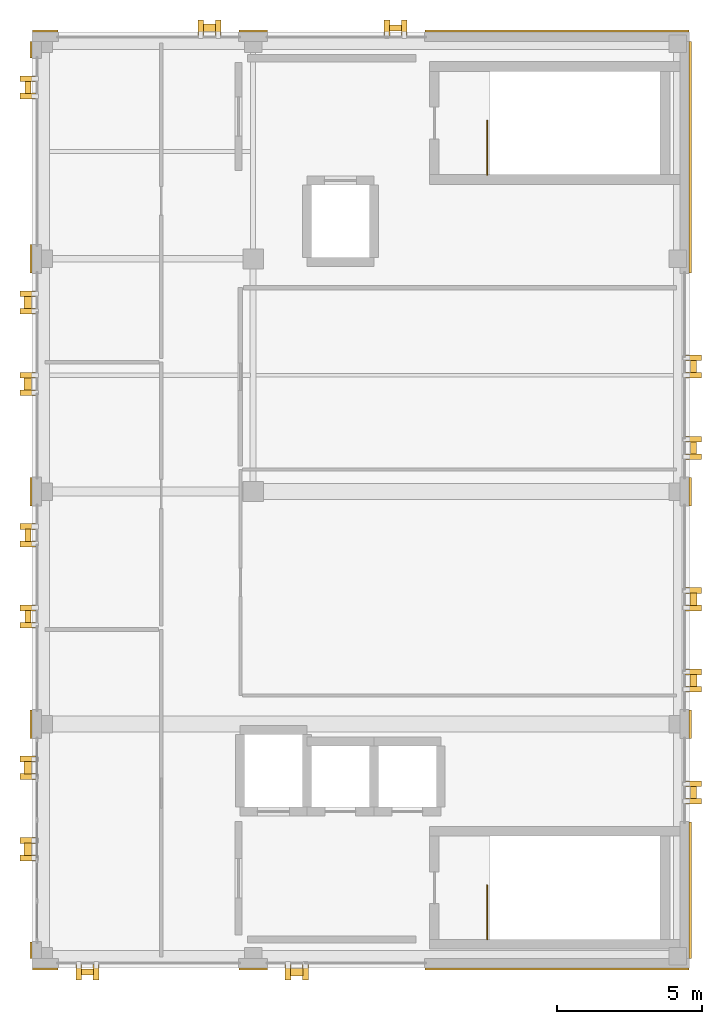
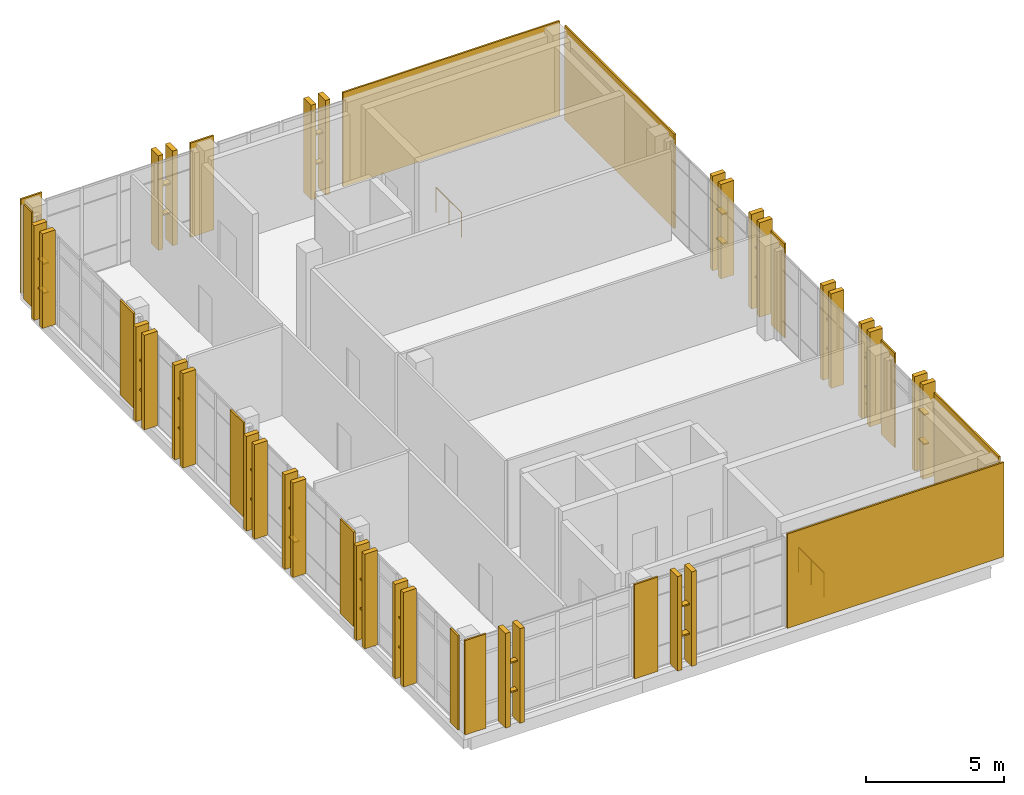
# One storey, part 19 of 19: 47 coverings, 32 shading devices, 2 railings.
"""IFC4 building model written with IfcOpenShell, lengths in metres."""

import ifcopenshell
import ifcopenshell.guid

model = None  # the IFC model being written
_history = None  # IfcOwnerHistory: only IFC2X3 demands one
_inside = {}  # id of a spatial element -> (the spatial element, [elements in it])
_under = {}  # id of a project, library or spatial element -> (it, [spatial elements below it])
_declared = {}  # id of a project -> (the project, [libraries it declares])
_typed = {}  # id of a type object -> (the type object, [elements of that type])
_made_of = {}  # id of a material, layer set ... -> (it, [elements and type objects made of it])


def new_model(schema):
    """Start an empty IFC model of exactly this schema.

    Asked for "IFC4X3", IfcOpenShell would pick the latest addendum, in which some entities
    have other attributes; the version numbers below select the first issue.
    IFC2X3 requires an IfcOwnerHistory on every rooted entity: one is made here for all.
    """
    global model, _history
    if schema == "IFC4X3":
        model = ifcopenshell.file(schema_version=(4, 3, 0, 0))
    else:
        model = ifcopenshell.file(schema=schema)
    _inside.clear()
    _under.clear()
    _declared.clear()
    _typed.clear()
    _made_of.clear()
    _history = None
    if model.schema == "IFC2X3":
        org = make("IfcOrganization", Name="unknown")
        user = make(
            "IfcPersonAndOrganization",
            ThePerson=make("IfcPerson", FamilyName="unknown"),
            TheOrganization=org,
        )
        app = make(
            "IfcApplication",
            ApplicationDeveloper=org,
            Version="unknown",
            ApplicationFullName="unknown",
            ApplicationIdentifier="unknown",
        )
        _history = make(
            "IfcOwnerHistory",
            OwningUser=user,
            OwningApplication=app,
            ChangeAction="ADDED",
            CreationDate=0,
        )
    return model


def make(cls, **values):
    """One entity of the class cls with the attributes given. An attribute that is None is left unset."""
    return model.create_entity(
        cls, **{name: value for name, value in values.items() if value is not None}
    )


def rooted(cls, **values):
    """An entity with a GlobalId (a new one), such as an element, a storey or a relation."""
    return make(cls, GlobalId=ifcopenshell.guid.new(), OwnerHistory=_history, **values)


def si_unit(unit_type, name, prefix=None):
    """IfcSIUnit, for example si_unit("LENGTHUNIT", "METRE", prefix="MILLI")."""
    return make("IfcSIUnit", UnitType=unit_type, Prefix=prefix, Name=name)


def assignment(units):
    """IfcUnitAssignment: the units of a project."""
    return None if units is None else make("IfcUnitAssignment", Units=units)


def point(xyz):
    """IfcCartesianPoint."""
    return None if xyz is None else make("IfcCartesianPoint", Coordinates=xyz)


def direction(xyz):
    """IfcDirection."""
    return None if xyz is None else make("IfcDirection", DirectionRatios=xyz)


def frame(location, z_axis=None, x_axis=None):
    """IfcAxis2Placement3D, a coordinate frame: its origin and axes. An axis left out is left unset."""
    return make(
        "IfcAxis2Placement3D",
        Location=point(location),
        Axis=direction(z_axis),
        RefDirection=direction(x_axis),
    )


def frame_2d(location, x_axis=None):
    """IfcAxis2Placement2D, a coordinate frame in the plane: its origin and x axis."""
    return make(
        "IfcAxis2Placement2D", Location=point(location), RefDirection=direction(x_axis)
    )


def origin():
    """The frame at (0, 0, 0) with its axes left unset."""
    return frame((0.0, 0.0, 0.0))


def origin_2d():
    """The frame at (0, 0) in the plane with its x axis left unset."""
    return frame_2d((0.0, 0.0))


def place(relative_to, where):
    """IfcLocalPlacement: puts the frame where relative to a parent placement (None: the world)."""
    return make(
        "IfcLocalPlacement", PlacementRelTo=relative_to, RelativePlacement=where
    )


def context(
    kind, dimensions, precision=None, world=None, true_north=None, identifier=None
):
    """IfcGeometricRepresentationContext, for example the 3D "Model" context."""
    return make(
        "IfcGeometricRepresentationContext",
        ContextIdentifier=identifier,
        ContextType=kind,
        CoordinateSpaceDimension=dimensions,
        Precision=precision,
        WorldCoordinateSystem=world,
        TrueNorth=true_north,
    )


def subcontext(parent, identifier, kind, view, scale=None):
    """IfcGeometricRepresentationSubContext, for example "Body" below "Model"."""
    return make(
        "IfcGeometricRepresentationSubContext",
        ContextIdentifier=identifier,
        ContextType=kind,
        ParentContext=parent,
        TargetScale=scale,
        TargetView=view,
    )


def project(units=None, contexts=None):
    """IfcProject with its units and contexts."""
    return rooted(
        "IfcProject",
        Name="project",
        RepresentationContexts=contexts,
        UnitsInContext=assignment(units),
    )


def spatial(cls, under=None, at=None, **own):
    """A site, building, storey or space (cls), placed at a placement, below another one or the project."""
    s = rooted(cls, ObjectPlacement=at, **own)
    if under is not None:
        _under.setdefault(under.id(), (under, []))[1].append(s)
    return s


def profile(cls, at=None, kind="AREA", **sizes):
    """A parametric profile (cls). Its sizes go by their IFC names, for example OverallWidth=200.0."""
    return make(cls, ProfileType=kind, Position=at, **sizes)


def rectangle(**sizes):
    """IfcRectangleProfileDef."""
    return profile("IfcRectangleProfileDef", **sizes)


def circle(**sizes):
    """IfcCircleProfileDef."""
    return profile("IfcCircleProfileDef", **sizes)


def extrude(swept, where, along, depth):
    """IfcExtrudedAreaSolid: the profile swept, set in the frame where, extruded along a direction by depth."""
    return make(
        "IfcExtrudedAreaSolid",
        SweptArea=swept,
        Position=where,
        ExtrudedDirection=direction(along),
        Depth=depth,
    )


def shape(context_of_items, identifier, shape_type, items):
    """IfcShapeRepresentation: the items that make up one representation, for example the "Body"."""
    return make(
        "IfcShapeRepresentation",
        ContextOfItems=context_of_items,
        RepresentationIdentifier=identifier,
        RepresentationType=shape_type,
        Items=items,
    )


def material(Name=None, Category=None):
    """IfcMaterial."""
    return make("IfcMaterial", Name=Name, Category=Category)


def layer(
    of_material, thickness, ventilated=None, Name=None, Category=None, Priority=None
):
    """IfcMaterialLayer: one layer of a wall or slab, of a material (None: an air gap)."""
    return make(
        "IfcMaterialLayer",
        Material=of_material,
        LayerThickness=thickness,
        IsVentilated=ventilated,
        Name=Name,
        Category=Category,
        Priority=Priority,
    )


def layer_set(layers, Name=None):
    """IfcMaterialLayerSet."""
    return make("IfcMaterialLayerSet", MaterialLayers=layers, LayerSetName=Name)


def made_of(thing, what):
    """Note that an element or type object is made of a material, layer set ...; save() writes the relation."""
    if what is not None:
        _made_of.setdefault(what.id(), (what, []))[1].append(thing)
    return thing


def type_object(cls, material=None, **own):
    """A type object (cls), such as IfcWallType, which elements share."""
    return made_of(rooted(cls, **own), material)


def element(
    cls,
    number,
    at=None,
    inside=None,
    cuts=None,
    type_object=None,
    material=None,
    context=None,
    identifier="Body",
    shape_type=None,
    held_by="IfcProductDefinitionShape",
    body=None,
    shapes=None,
    **own,
):
    """One element of the class cls, such as IfcWall. Its Tag is "e" and its number.

    at: its placement. inside: the storey or other place that contains it. cuts: it is an
    opening in that element (IfcRelVoidsElement). A single representation is given by context,
    identifier, shape_type and body (its items); several are given by shapes. held_by: the class
    of the entity that holds the representations. save() writes the other relations.
    """
    e = rooted(cls, Tag="e%d" % number, ObjectPlacement=at, **own)
    if body is not None:
        shapes = [shape(context, identifier, shape_type, body)]
    if shapes is not None:
        e.Representation = make(held_by, Representations=shapes)
    if inside is not None:
        _inside.setdefault(inside.id(), (inside, []))[1].append(e)
    if cuts is not None:
        rooted(
            "IfcRelVoidsElement", RelatingBuildingElement=cuts, RelatedOpeningElement=e
        )
    if type_object is not None:
        _typed.setdefault(type_object.id(), (type_object, []))[1].append(e)
    return made_of(e, material)


def aggregate(whole, parts):
    """IfcRelAggregates: a whole, such as a stair, and the parts it consists of."""
    return rooted("IfcRelAggregates", RelatingObject=whole, RelatedObjects=parts)


def save(model, path):
    """Write the relations noted so far, then the file.

    IfcRelAggregates (storeys below a building ...), IfcRelContainedInSpatialStructure (elements
    in a storey), IfcRelDefinesByType, IfcRelAssociatesMaterial and IfcRelDeclares: one each for
    every whole, place, type object, material and project.
    """
    for whole, parts in _under.values():
        aggregate(whole, parts)
    for where, things in _inside.values():
        rooted(
            "IfcRelContainedInSpatialStructure",
            RelatedElements=things,
            RelatingStructure=where,
        )
    for kind, things in _typed.values():
        rooted("IfcRelDefinesByType", RelatedObjects=things, RelatingType=kind)
    for what, things in _made_of.values():
        rooted("IfcRelAssociatesMaterial", RelatedObjects=things, RelatingMaterial=what)
    for by, libraries in _declared.values():
        rooted("IfcRelDeclares", RelatingContext=by, RelatedDefinitions=libraries)
    model.write(path)


model = new_model("IFC4")

# Units and contexts
model_context = context("Model", 3, precision=1e-05, world=origin(), true_north=direction((0.0, 1.0)))
body_context = subcontext(model_context, "Body", "Model", "MODEL_VIEW")
ifc_project = project(units=[si_unit("LENGTHUNIT", "METRE"), si_unit("AREAUNIT", "SQUARE_METRE"), si_unit("VOLUMEUNIT", "CUBIC_METRE"), si_unit("PLANEANGLEUNIT", "RADIAN"), si_unit("MASSUNIT", "GRAM", prefix="KILO")], contexts=[model_context])

# Site, building, storey
site_placement = place(None, origin())
site = spatial("IfcSite", under=ifc_project, at=site_placement, CompositionType="ELEMENT")
building_placement = place(site_placement, origin())
building = spatial("IfcBuilding", under=site, at=building_placement, Name="Qalavern Law Courts", CompositionType="ELEMENT")
storey_placement = place(building_placement, frame((0.0, 0.0, 39.60009765625)))
storey = spatial("IfcBuildingStorey", under=building, at=storey_placement, Name="L09", CompositionType="ELEMENT", Elevation=39.60009765625)

# Coverings
ifc_material_1 = material(Name="Precast concrete C40/50", Category="concrete")
ifc_layer_1 = layer(ifc_material_1, 0.199951171875)
ifc_layer_set_1 = layer_set([ifc_layer_1], Name="Precast concrete C40/50")
covering_type_1 = type_object("IfcCoveringType", Name="ENV-BLD-1", PredefinedType="CLADDING", material=ifc_layer_set_1)
for number, where, z_axis, x_axis, name in (
    (1, (85.800048828125, 40.87255859375, 0.0048828125), (0.0, 0.0, 1.0), (0.0, -1.0, 0.0), "Absheron stone facade blade 0865"),
    (2, (86.39990234375, 40.87255859375, 0.0048828125), (0.0, 0.0, 1.0), (0.0, -1.0, 0.0), "Absheron stone facade blade 0866"),
    (3, (93.0, 40.87255859375, 0.0048828125), (0.0, 0.0, 1.0), (0.0, -1.0, 0.0), "Absheron stone facade blade 0867"),
    (4, (93.60009765625, 40.87255859375, 0.0048828125), (0.0, 0.0, 1.0), (0.0, -1.0, 0.0), "Absheron stone facade blade 0868"),
    (5, (106.947509765625, 46.75, 0.0048828125), (0.0, 0.0, 1.0), (1.0, 0.0, 0.0), "Absheron stone facade blade 0869"),
    (6, (106.947509765625, 47.35009765625, 0.0048828125), (0.0, 0.0, 1.0), (1.0, 0.0, 0.0), "Absheron stone facade blade 0870"),
    (7, (106.947509765625, 50.60009765625, 0.0048828125), (0.0, 0.0, 1.0), (1.0, 0.0, 0.0), "Absheron stone facade blade 0871"),
    (8, (106.947509765625, 51.199951171875, 0.0048828125), (0.0, 0.0, 1.0), (1.0, 0.0, 0.0), "Absheron stone facade blade 0872"),
    (9, (106.947509765625, 53.39990234375, 0.0048828125), (0.0, 0.0, 1.0), (1.0, 0.0, 0.0), "Absheron stone facade blade 0873"),
    (10, (106.947509765625, 54.0, 0.0048828125), (0.0, 0.0, 1.0), (1.0, 0.0, 0.0), "Absheron stone facade blade 0874"),
    (11, (106.947509765625, 58.60009765625, 0.0048828125), (0.0, 0.0, 1.0), (1.0, 0.0, 0.0), "Absheron stone facade blade 0875"),
    (12, (106.947509765625, 59.199951171875, 0.0048828125), (0.0, 0.0, 1.0), (1.0, 0.0, 0.0), "Absheron stone facade blade 0876"),
    (13, (106.947509765625, 61.39990234375, 0.0048828125), (0.0, 0.0, 1.0), (1.0, 0.0, 0.0), "Absheron stone facade blade 0877"),
    (14, (106.947509765625, 62.0, 0.0048828125), (0.0, 0.0, 1.0), (1.0, 0.0, 0.0), "Absheron stone facade blade 0878"),
    (15, (97.0, 73.347412109375, 0.0048828125), (0.0, 0.0, 1.0), (0.0, 1.0, 0.0), "Absheron stone facade blade 0879"),
    (16, (96.39990234375, 73.347412109375, 0.0048828125), (0.0, 0.0, 1.0), (0.0, 1.0, 0.0), "Absheron stone facade blade 0880"),
    (17, (90.60009765625, 73.347412109375, 0.0048828125), (0.0, 0.0, 1.0), (0.0, 1.0, 0.0), "Absheron stone facade blade 0881"),
    (18, (90.0, 73.347412109375, 0.0048828125), (0.0, 0.0, 1.0), (0.0, 1.0, 0.0), "Absheron stone facade blade 0882"),
    (19, (84.052490234375, 71.60009765625, 0.0048828125), (0.0, 0.0, 1.0), (-1.0, 0.0, 0.0), "Absheron stone facade blade 0883"),
    (20, (84.052490234375, 71.0, 0.0048828125), (0.0, 0.0, 1.0), (-1.0, 0.0, 0.0), "Absheron stone facade blade 0884"),
    (21, (84.052490234375, 64.199951171875, 0.0048828125), (0.0, 0.0, 1.0), (-1.0, 0.0, 0.0), "Absheron stone facade blade 0885"),
    (22, (84.052490234375, 63.60009765625, 0.0048828125), (0.0, 0.0, 1.0), (-1.0, 0.0, 0.0), "Absheron stone facade blade 0886"),
    (23, (84.052490234375, 61.39990234375, 0.0048828125), (0.0, 0.0, 1.0), (-1.0, 0.0, 0.0), "Absheron stone facade blade 0887"),
    (24, (84.052490234375, 60.800048828125, 0.0048828125), (0.0, 0.0, 1.0), (-1.0, 0.0, 0.0), "Absheron stone facade blade 0888"),
    (25, (84.052490234375, 56.199951171875, 0.0048828125), (0.0, 0.0, 1.0), (-1.0, 0.0, 0.0), "Absheron stone facade blade 0889"),
    (26, (84.052490234375, 55.60009765625, 0.0048828125), (0.0, 0.0, 1.0), (-1.0, 0.0, 0.0), "Absheron stone facade blade 0890"),
    (27, (84.052490234375, 53.39990234375, 0.0048828125), (0.0, 0.0, 1.0), (-1.0, 0.0, 0.0), "Absheron stone facade blade 0891"),
    (28, (84.052490234375, 52.800048828125, 0.0048828125), (0.0, 0.0, 1.0), (-1.0, 0.0, 0.0), "Absheron stone facade blade 0892"),
    (29, (84.052490234375, 48.199951171875, 0.0048828125), (0.0, 0.0, 1.0), (-1.0, 0.0, 0.0), "Absheron stone facade blade 0893"),
    (30, (84.052490234375, 47.60009765625, 0.0048828125), (0.0, 0.0, 1.0), (-1.0, 0.0, 0.0), "Absheron stone facade blade 0894"),
    (31, (84.052490234375, 45.39990234375, 0.0048828125), (0.0, 0.0, 1.0), (-1.0, 0.0, 0.0), "Absheron stone facade blade 0895"),
    (32, (84.052490234375, 44.800048828125, 0.0048828125), (0.0, 0.0, 1.0), (-1.0, 0.0, 0.0), "Absheron stone facade blade 0896"),
):
    element("IfcCovering", number, at=place(storey_placement, frame(where, z_axis=z_axis, x_axis=x_axis)), inside=storey, type_object=covering_type_1, Name=name, PredefinedType="CLADDING", context=body_context, shape_type="SweptSolid", body=[
        extrude(rectangle(XDim=0.5400390625, YDim=0.199951171875, at=origin_2d()), origin(), (0.0, 0.0, 1.0), 4.18994140625),
    ])
ifc_layer_2 = layer(ifc_material_1, 0.072021484375)
ifc_layer_set_2 = layer_set([ifc_layer_2], Name="Precast concrete C40/50")
covering_type_2 = type_object("IfcCoveringType", Name="ENV-CLD-2", PredefinedType="CLADDING", material=ifc_layer_set_2)
covering_1_placement = place(storey_placement, frame((84.64990234375, 40.987060546875, 0.009765625), z_axis=(0.0, 0.0, 1.0), x_axis=(1.0, 0.0, 0.0)))
element("IfcCovering", 33, at=covering_1_placement, inside=storey, type_object=covering_type_2, Name="V4 Absheron limestone pier facing L09 south 1", PredefinedType="CLADDING", context=body_context, shape_type="SweptSolid", body=[
    extrude(rectangle(XDim=0.8798828125, YDim=0.072021484375, at=origin_2d()), origin(), (0.0, 0.0, 1.0), 4.179931640625),
])
covering_2_placement = place(storey_placement, frame((91.800048828125, 40.987060546875, 0.009765625), z_axis=(0.0, 0.0, 1.0), x_axis=(1.0, 0.0, 0.0)))
element("IfcCovering", 34, at=covering_2_placement, inside=storey, type_object=covering_type_2, Name="V4 Absheron limestone pier facing L09 south 2", PredefinedType="CLADDING", context=body_context, shape_type="SweptSolid", body=[
    extrude(rectangle(XDim=0.97998046875, YDim=0.072021484375, at=origin_2d()), origin(), (0.0, 0.0, 1.0), 4.179931640625),
])
covering_3_placement = place(storey_placement, frame((102.25, 40.987060546875, 0.009765625), z_axis=(0.0, 0.0, 1.0), x_axis=(1.0, 0.0, 0.0)))
element("IfcCovering", 35, at=covering_3_placement, inside=storey, type_object=covering_type_2, Name="V4 Absheron limestone pier facing L09 south 3", PredefinedType="CLADDING", context=body_context, shape_type="SweptSolid", body=[
    extrude(rectangle(XDim=9.080078125, YDim=0.072021484375, at=origin_2d()), origin(), (0.0, 0.0, 1.0), 4.179931640625),
])
covering_4_placement = place(storey_placement, frame((106.8330078125, 43.695068359375, 0.009765625), z_axis=(0.0, 0.0, 1.0), x_axis=(0.0, 1.0, 0.0)))
element("IfcCovering", 36, at=covering_4_placement, inside=storey, type_object=covering_type_2, Name="V4 Absheron limestone pier facing L09 east 1", PredefinedType="CLADDING", context=body_context, shape_type="SweptSolid", body=[
    extrude(rectangle(XDim=4.68994140625, YDim=0.072021484375, at=origin_2d()), origin(), (0.0, 0.0, 1.0), 4.179931640625),
])
for number, where, z_axis, x_axis, name in (
    (37, (106.8330078125, 49.39990234375, 0.009765625), (0.0, 0.0, 1.0), (0.0, 1.0, 0.0), "V4 Absheron limestone pier facing L09 east 2"),
    (38, (106.8330078125, 57.39990234375, 0.009765625), (0.0, 0.0, 1.0), (0.0, 1.0, 0.0), "V4 Absheron limestone pier facing L09 east 3"),
):
    element("IfcCovering", number, at=place(storey_placement, frame(where, z_axis=z_axis, x_axis=x_axis)), inside=storey, type_object=covering_type_2, Name=name, PredefinedType="CLADDING", context=body_context, shape_type="SweptSolid", body=[
        extrude(rectangle(XDim=0.97998046875, YDim=0.072021484375, at=origin_2d()), origin(), (0.0, 0.0, 1.0), 4.179931640625),
    ])
covering_5_placement = place(storey_placement, frame((106.8330078125, 68.889892578125, 0.009765625), z_axis=(0.0, 0.0, 1.0), x_axis=(0.0, 1.0, 0.0)))
element("IfcCovering", 39, at=covering_5_placement, inside=storey, type_object=covering_type_2, Name="V4 Absheron limestone pier facing L09 east 4", PredefinedType="CLADDING", context=body_context, shape_type="SweptSolid", body=[
    extrude(rectangle(XDim=7.9599609375, YDim=0.072021484375, at=origin_2d()), origin(), (0.0, 0.0, 1.0), 4.179931640625),
])
covering_6_placement = place(storey_placement, frame((102.25, 73.23291015625, 0.009765625), z_axis=(0.0, 0.0, 1.0), x_axis=(-1.0, 0.0, 0.0)))
element("IfcCovering", 40, at=covering_6_placement, inside=storey, type_object=covering_type_2, Name="V4 Absheron limestone pier facing L09 north 1", PredefinedType="CLADDING", context=body_context, shape_type="SweptSolid", body=[
    extrude(rectangle(XDim=9.080078125, YDim=0.072021484375, at=origin_2d()), origin(), (0.0, 0.0, 1.0), 4.179931640625),
])
covering_7_placement = place(storey_placement, frame((91.800048828125, 73.23291015625, 0.009765625), z_axis=(0.0, 0.0, 1.0), x_axis=(-1.0, 0.0, 0.0)))
element("IfcCovering", 41, at=covering_7_placement, inside=storey, type_object=covering_type_2, Name="V4 Absheron limestone pier facing L09 north 2", PredefinedType="CLADDING", context=body_context, shape_type="SweptSolid", body=[
    extrude(rectangle(XDim=0.97998046875, YDim=0.072021484375, at=origin_2d()), origin(), (0.0, 0.0, 1.0), 4.179931640625),
])
covering_8_placement = place(storey_placement, frame((84.64990234375, 73.23291015625, 0.009765625), z_axis=(0.0, 0.0, 1.0), x_axis=(-1.0, 0.0, 0.0)))
element("IfcCovering", 42, at=covering_8_placement, inside=storey, type_object=covering_type_2, Name="V4 Absheron limestone pier facing L09 north 3", PredefinedType="CLADDING", context=body_context, shape_type="SweptSolid", body=[
    extrude(rectangle(XDim=0.8798828125, YDim=0.072021484375, at=origin_2d()), origin(), (0.0, 0.0, 1.0), 4.179931640625),
])
covering_9_placement = place(storey_placement, frame((84.1669921875, 72.590087890625, 0.009765625), z_axis=(0.0, 0.0, 1.0), x_axis=(0.0, -1.0, 0.0)))
element("IfcCovering", 43, at=covering_9_placement, inside=storey, type_object=covering_type_2, Name="V4 Absheron limestone pier facing L09 west 1", PredefinedType="CLADDING", context=body_context, shape_type="SweptSolid", body=[
    extrude(rectangle(XDim=0.56005859375, YDim=0.072021484375, at=origin_2d()), origin(), (0.0, 0.0, 1.0), 4.179931640625),
])
for number, where, z_axis, x_axis, name in (
    (44, (84.1669921875, 65.39990234375, 0.009765625), (0.0, 0.0, 1.0), (0.0, -1.0, 0.0), "V4 Absheron limestone pier facing L09 west 2"),
    (45, (84.1669921875, 57.39990234375, 0.009765625), (0.0, 0.0, 1.0), (0.0, -1.0, 0.0), "V4 Absheron limestone pier facing L09 west 3"),
    (46, (84.1669921875, 49.39990234375, 0.009765625), (0.0, 0.0, 1.0), (0.0, -1.0, 0.0), "V4 Absheron limestone pier facing L09 west 4"),
):
    element("IfcCovering", number, at=place(storey_placement, frame(where, z_axis=z_axis, x_axis=x_axis)), inside=storey, type_object=covering_type_2, Name=name, PredefinedType="CLADDING", context=body_context, shape_type="SweptSolid", body=[
        extrude(rectangle(XDim=0.97998046875, YDim=0.072021484375, at=origin_2d()), origin(), (0.0, 0.0, 1.0), 4.179931640625),
    ])
covering_10_placement = place(storey_placement, frame((84.1669921875, 41.6298828125, 0.009765625), z_axis=(0.0, 0.0, 1.0), x_axis=(0.0, -1.0, 0.0)))
element("IfcCovering", 47, at=covering_10_placement, inside=storey, type_object=covering_type_2, Name="V4 Absheron limestone pier facing L09 west 5", PredefinedType="CLADDING", context=body_context, shape_type="SweptSolid", body=[
    extrude(rectangle(XDim=0.56005859375, YDim=0.072021484375, at=origin_2d()), origin(), (0.0, 0.0, 1.0), 4.179931640625),
])

# Shading devices
ifc_material_2 = material(Name="Anodised aluminium", Category="aluminium")
shading_device_type_1 = type_object("IfcShadingDeviceType", Name="ENV-LOUV-1", PredefinedType="JALOUSIE", material=ifc_material_2)
for number, where, z_axis, x_axis, name in (
    (48, (86.10009765625, 40.87255859375, 1.352294921875), (0.0, 0.0, 1.0), (1.0, 0.0, 0.0), "Horizontal sun louvre V4-L09-0-1"),
    (49, (86.10009765625, 40.87255859375, 2.65576171875), (0.0, 0.0, 1.0), (1.0, 0.0, 0.0), "Horizontal sun louvre V4-L09-0-2"),
    (50, (106.947509765625, 47.050048828125, 1.352294921875), (0.0, 0.0, 1.0), (0.0, 1.0, 0.0), "Horizontal sun louvre V4-L09-0-1"),
    (51, (106.947509765625, 47.050048828125, 2.65576171875), (0.0, 0.0, 1.0), (0.0, 1.0, 0.0), "Horizontal sun louvre V4-L09-0-2"),
    (52, (106.947509765625, 58.89990234375, 1.352294921875), (0.0, 0.0, 1.0), (0.0, 1.0, 0.0), "Horizontal sun louvre V4-L09-0-1"),
    (53, (106.947509765625, 58.89990234375, 2.65576171875), (0.0, 0.0, 1.0), (0.0, 1.0, 0.0), "Horizontal sun louvre V4-L09-0-2"),
    (54, (106.947509765625, 61.699951171875, 1.352294921875), (0.0, 0.0, 1.0), (0.0, 1.0, 0.0), "Horizontal sun louvre V4-L09-1-1"),
    (55, (106.947509765625, 61.699951171875, 2.65576171875), (0.0, 0.0, 1.0), (0.0, 1.0, 0.0), "Horizontal sun louvre V4-L09-1-2"),
    (56, (96.699951171875, 73.347412109375, 1.352294921875), (0.0, 0.0, 1.0), (-1.0, 0.0, 0.0), "Horizontal sun louvre V4-L09-0-1"),
    (57, (96.699951171875, 73.347412109375, 2.65576171875), (0.0, 0.0, 1.0), (-1.0, 0.0, 0.0), "Horizontal sun louvre V4-L09-0-2"),
    (58, (84.052490234375, 71.300048828125, 1.352294921875), (0.0, 0.0, 1.0), (0.0, -1.0, 0.0), "Horizontal sun louvre V4-L09-0-1"),
    (59, (84.052490234375, 71.300048828125, 2.65576171875), (0.0, 0.0, 1.0), (0.0, -1.0, 0.0), "Horizontal sun louvre V4-L09-0-2"),
    (60, (84.052490234375, 55.89990234375, 1.352294921875), (0.0, 0.0, 1.0), (0.0, -1.0, 0.0), "Horizontal sun louvre V4-L09-0-1"),
    (61, (84.052490234375, 55.89990234375, 2.65576171875), (0.0, 0.0, 1.0), (0.0, -1.0, 0.0), "Horizontal sun louvre V4-L09-0-2"),
    (62, (84.052490234375, 53.10009765625, 1.352294921875), (0.0, 0.0, 1.0), (0.0, -1.0, 0.0), "Horizontal sun louvre V4-L09-1-1"),
    (63, (84.052490234375, 53.10009765625, 2.65576171875), (0.0, 0.0, 1.0), (0.0, -1.0, 0.0), "Horizontal sun louvre V4-L09-1-2"),
):
    element("IfcShadingDevice", number, at=place(storey_placement, frame(where, z_axis=z_axis, x_axis=x_axis)), inside=storey, type_object=shading_device_type_1, Name=name, PredefinedType="JALOUSIE", context=body_context, shape_type="SweptSolid", body=[
        extrude(rectangle(XDim=0.419921875, YDim=0.2099609375, at=origin_2d()), origin(), (0.0, 0.0, 1.0), 0.06005859375),
    ])
shading_device_type_2 = type_object("IfcShadingDeviceType", Name="ENV-LOUV-2", PredefinedType="JALOUSIE", material=ifc_material_2)
for number, where, z_axis, x_axis, name in (
    (64, (93.300048828125, 40.87255859375, 1.352294921875), (0.0, 0.0, 1.0), (1.0, 0.0, 0.0), "Horizontal sun louvre V4-L09-0-1"),
    (65, (93.300048828125, 40.87255859375, 2.65576171875), (0.0, 0.0, 1.0), (1.0, 0.0, 0.0), "Horizontal sun louvre V4-L09-0-2"),
    (66, (106.947509765625, 50.89990234375, 1.352294921875), (0.0, 0.0, 1.0), (0.0, 1.0, 0.0), "Horizontal sun louvre V4-L09-0-1"),
    (67, (106.947509765625, 50.89990234375, 2.65576171875), (0.0, 0.0, 1.0), (0.0, 1.0, 0.0), "Horizontal sun louvre V4-L09-0-2"),
    (68, (106.947509765625, 53.699951171875, 1.352294921875), (0.0, 0.0, 1.0), (0.0, 1.0, 0.0), "Horizontal sun louvre V4-L09-1-1"),
    (69, (106.947509765625, 53.699951171875, 2.65576171875), (0.0, 0.0, 1.0), (0.0, 1.0, 0.0), "Horizontal sun louvre V4-L09-1-2"),
    (70, (90.300048828125, 73.347412109375, 1.352294921875), (0.0, 0.0, 1.0), (-1.0, 0.0, 0.0), "Horizontal sun louvre V4-L09-0-1"),
    (71, (90.300048828125, 73.347412109375, 2.65576171875), (0.0, 0.0, 1.0), (-1.0, 0.0, 0.0), "Horizontal sun louvre V4-L09-0-2"),
    (72, (84.052490234375, 63.89990234375, 1.352294921875), (0.0, 0.0, 1.0), (0.0, -1.0, 0.0), "Horizontal sun louvre V4-L09-0-1"),
    (73, (84.052490234375, 63.89990234375, 2.65576171875), (0.0, 0.0, 1.0), (0.0, -1.0, 0.0), "Horizontal sun louvre V4-L09-0-2"),
    (74, (84.052490234375, 61.10009765625, 1.352294921875), (0.0, 0.0, 1.0), (0.0, -1.0, 0.0), "Horizontal sun louvre V4-L09-1-1"),
    (75, (84.052490234375, 61.10009765625, 2.65576171875), (0.0, 0.0, 1.0), (0.0, -1.0, 0.0), "Horizontal sun louvre V4-L09-1-2"),
    (76, (84.052490234375, 47.89990234375, 1.352294921875), (0.0, 0.0, 1.0), (0.0, -1.0, 0.0), "Horizontal sun louvre V4-L09-0-1"),
    (77, (84.052490234375, 47.89990234375, 2.65576171875), (0.0, 0.0, 1.0), (0.0, -1.0, 0.0), "Horizontal sun louvre V4-L09-0-2"),
    (78, (84.052490234375, 45.10009765625, 1.352294921875), (0.0, 0.0, 1.0), (0.0, -1.0, 0.0), "Horizontal sun louvre V4-L09-1-1"),
    (79, (84.052490234375, 45.10009765625, 2.65576171875), (0.0, 0.0, 1.0), (0.0, -1.0, 0.0), "Horizontal sun louvre V4-L09-1-2"),
):
    element("IfcShadingDevice", number, at=place(storey_placement, frame(where, z_axis=z_axis, x_axis=x_axis)), inside=storey, type_object=shading_device_type_2, Name=name, PredefinedType="JALOUSIE", context=body_context, shape_type="SweptSolid", body=[
        extrude(rectangle(XDim=0.419921875, YDim=0.25, at=origin_2d()), origin(), (0.0, 0.0, 1.0), 0.06005859375),
    ])

# Railings
ifc_material_3 = material(Name="Steel S355", Category="steel")
railing_type = type_object("IfcRailingType", Name="INT-GUARD-1120", PredefinedType="BALUSTRADE", material=ifc_material_3)
railing_1_placement = place(storey_placement, frame((99.85009765625, 42.0, 0.0)))
element("IfcRailing", 80, at=railing_1_placement, inside=storey, type_object=railing_type, Name="L09 ST-K1A top well guard 1", PredefinedType="BALUSTRADE", context=body_context, shape_type="SweptSolid", body=[
    extrude(circle(Radius=0.02392578125, at=origin_2d()), frame((0.0, 0.0, 1.09619140625), z_axis=(0.0, 1.0, 0.0), x_axis=(-1.0, 0.0, 0.0)), (0.0, 0.0, 1.0), 1.85009765625),
    extrude(circle(Radius=0.02099609375, at=origin_2d()), origin(), (0.0, 0.0, 1.0), 1.072021484375),
    extrude(circle(Radius=0.02099609375, at=origin_2d()), frame((0.0, 0.925048828125, 0.0)), (0.0, 0.0, 1.0), 1.072021484375),
    extrude(circle(Radius=0.02099609375, at=origin_2d()), frame((0.0, 1.85009765625, 0.0)), (0.0, 0.0, 1.0), 1.072021484375),
])
railing_2_placement = place(storey_placement, frame((99.85009765625, 68.300048828125, 0.0)))
element("IfcRailing", 81, at=railing_2_placement, inside=storey, type_object=railing_type, Name="L09 ST-K1B top well guard 1", PredefinedType="BALUSTRADE", context=body_context, shape_type="SweptSolid", body=[
    extrude(circle(Radius=0.02392578125, at=origin_2d()), frame((0.0, 0.0, 1.09619140625), z_axis=(0.0, 1.0, 0.0), x_axis=(-1.0, 0.0, 0.0)), (0.0, 0.0, 1.0), 1.849853515625),
    extrude(circle(Radius=0.02099609375, at=origin_2d()), origin(), (0.0, 0.0, 1.0), 1.072021484375),
    extrude(circle(Radius=0.02099609375, at=origin_2d()), frame((0.0, 0.9248046875, 0.0)), (0.0, 0.0, 1.0), 1.072021484375),
    extrude(circle(Radius=0.02099609375, at=origin_2d()), frame((0.0, 1.849853515625, 0.0)), (0.0, 0.0, 1.0), 1.072021484375),
])

save(model, "model.ifc")
